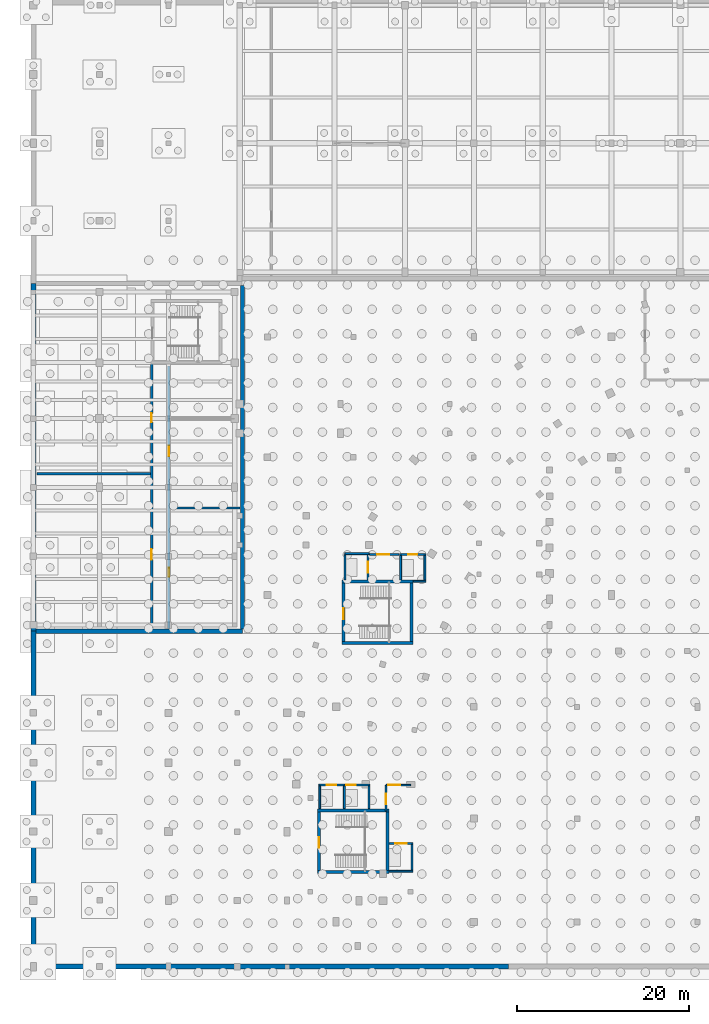
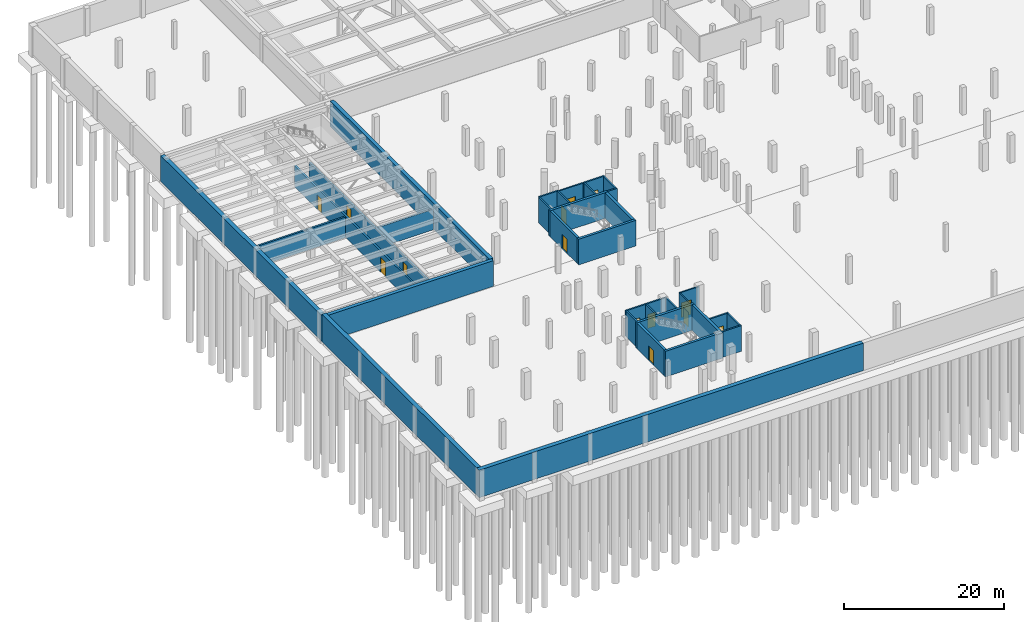
# One storey, part 24 of 36: 35 walls, 14 doors, 14 openings.
"""IFC4 building model written with IfcOpenShell, lengths in metres."""

import ifcopenshell
import ifcopenshell.guid

model = None  # the IFC model being written
_history = None  # IfcOwnerHistory: only IFC2X3 demands one
_inside = {}  # id of a spatial element -> (the spatial element, [elements in it])
_under = {}  # id of a project, library or spatial element -> (it, [spatial elements below it])
_declared = {}  # id of a project -> (the project, [libraries it declares])
_typed = {}  # id of a type object -> (the type object, [elements of that type])
_made_of = {}  # id of a material, layer set ... -> (it, [elements and type objects made of it])


def new_model(schema):
    """Start an empty IFC model of exactly this schema.

    Asked for "IFC4X3", IfcOpenShell would pick the latest addendum, in which some entities
    have other attributes; the version numbers below select the first issue.
    IFC2X3 requires an IfcOwnerHistory on every rooted entity: one is made here for all.
    """
    global model, _history
    if schema == "IFC4X3":
        model = ifcopenshell.file(schema_version=(4, 3, 0, 0))
    else:
        model = ifcopenshell.file(schema=schema)
    _inside.clear()
    _under.clear()
    _declared.clear()
    _typed.clear()
    _made_of.clear()
    _history = None
    if model.schema == "IFC2X3":
        org = make("IfcOrganization", Name="unknown")
        user = make(
            "IfcPersonAndOrganization",
            ThePerson=make("IfcPerson", FamilyName="unknown"),
            TheOrganization=org,
        )
        app = make(
            "IfcApplication",
            ApplicationDeveloper=org,
            Version="unknown",
            ApplicationFullName="unknown",
            ApplicationIdentifier="unknown",
        )
        _history = make(
            "IfcOwnerHistory",
            OwningUser=user,
            OwningApplication=app,
            ChangeAction="ADDED",
            CreationDate=0,
        )
    return model


def make(cls, **values):
    """One entity of the class cls with the attributes given. An attribute that is None is left unset."""
    return model.create_entity(
        cls, **{name: value for name, value in values.items() if value is not None}
    )


def rooted(cls, **values):
    """An entity with a GlobalId (a new one), such as an element, a storey or a relation."""
    return make(cls, GlobalId=ifcopenshell.guid.new(), OwnerHistory=_history, **values)


def si_unit(unit_type, name, prefix=None):
    """IfcSIUnit, for example si_unit("LENGTHUNIT", "METRE", prefix="MILLI")."""
    return make("IfcSIUnit", UnitType=unit_type, Prefix=prefix, Name=name)


def assignment(units):
    """IfcUnitAssignment: the units of a project."""
    return None if units is None else make("IfcUnitAssignment", Units=units)


def point(xyz):
    """IfcCartesianPoint."""
    return None if xyz is None else make("IfcCartesianPoint", Coordinates=xyz)


def direction(xyz):
    """IfcDirection."""
    return None if xyz is None else make("IfcDirection", DirectionRatios=xyz)


def frame(location, z_axis=None, x_axis=None):
    """IfcAxis2Placement3D, a coordinate frame: its origin and axes. An axis left out is left unset."""
    return make(
        "IfcAxis2Placement3D",
        Location=point(location),
        Axis=direction(z_axis),
        RefDirection=direction(x_axis),
    )


def frame_2d(location, x_axis=None):
    """IfcAxis2Placement2D, a coordinate frame in the plane: its origin and x axis."""
    return make(
        "IfcAxis2Placement2D", Location=point(location), RefDirection=direction(x_axis)
    )


def origin():
    """The frame at (0, 0, 0) with its axes left unset."""
    return frame((0.0, 0.0, 0.0))


def place(relative_to, where):
    """IfcLocalPlacement: puts the frame where relative to a parent placement (None: the world)."""
    return make(
        "IfcLocalPlacement", PlacementRelTo=relative_to, RelativePlacement=where
    )


def context(
    kind, dimensions, precision=None, world=None, true_north=None, identifier=None
):
    """IfcGeometricRepresentationContext, for example the 3D "Model" context."""
    return make(
        "IfcGeometricRepresentationContext",
        ContextIdentifier=identifier,
        ContextType=kind,
        CoordinateSpaceDimension=dimensions,
        Precision=precision,
        WorldCoordinateSystem=world,
        TrueNorth=true_north,
    )


def subcontext(parent, identifier, kind, view, scale=None):
    """IfcGeometricRepresentationSubContext, for example "Body" below "Model"."""
    return make(
        "IfcGeometricRepresentationSubContext",
        ContextIdentifier=identifier,
        ContextType=kind,
        ParentContext=parent,
        TargetScale=scale,
        TargetView=view,
    )


def project(units=None, contexts=None):
    """IfcProject with its units and contexts."""
    return rooted(
        "IfcProject",
        Name="project",
        RepresentationContexts=contexts,
        UnitsInContext=assignment(units),
    )


def spatial(cls, under=None, at=None, **own):
    """A site, building, storey or space (cls), placed at a placement, below another one or the project."""
    s = rooted(cls, ObjectPlacement=at, **own)
    if under is not None:
        _under.setdefault(under.id(), (under, []))[1].append(s)
    return s


def profile(cls, at=None, kind="AREA", **sizes):
    """A parametric profile (cls). Its sizes go by their IFC names, for example OverallWidth=200.0."""
    return make(cls, ProfileType=kind, Position=at, **sizes)


def rectangle(**sizes):
    """IfcRectangleProfileDef."""
    return profile("IfcRectangleProfileDef", **sizes)


def extrude(swept, where, along, depth):
    """IfcExtrudedAreaSolid: the profile swept, set in the frame where, extruded along a direction by depth."""
    return make(
        "IfcExtrudedAreaSolid",
        SweptArea=swept,
        Position=where,
        ExtrudedDirection=direction(along),
        Depth=depth,
    )


def shape(context_of_items, identifier, shape_type, items):
    """IfcShapeRepresentation: the items that make up one representation, for example the "Body"."""
    return make(
        "IfcShapeRepresentation",
        ContextOfItems=context_of_items,
        RepresentationIdentifier=identifier,
        RepresentationType=shape_type,
        Items=items,
    )


def material(Name=None, Category=None):
    """IfcMaterial."""
    return make("IfcMaterial", Name=Name, Category=Category)


def layer(
    of_material, thickness, ventilated=None, Name=None, Category=None, Priority=None
):
    """IfcMaterialLayer: one layer of a wall or slab, of a material (None: an air gap)."""
    return make(
        "IfcMaterialLayer",
        Material=of_material,
        LayerThickness=thickness,
        IsVentilated=ventilated,
        Name=Name,
        Category=Category,
        Priority=Priority,
    )


def layer_set(layers, Name=None):
    """IfcMaterialLayerSet."""
    return make("IfcMaterialLayerSet", MaterialLayers=layers, LayerSetName=Name)


def made_of(thing, what):
    """Note that an element or type object is made of a material, layer set ...; save() writes the relation."""
    if what is not None:
        _made_of.setdefault(what.id(), (what, []))[1].append(thing)
    return thing


def type_object(cls, material=None, **own):
    """A type object (cls), such as IfcWallType, which elements share."""
    return made_of(rooted(cls, **own), material)


def element(
    cls,
    number,
    at=None,
    inside=None,
    cuts=None,
    type_object=None,
    material=None,
    context=None,
    identifier="Body",
    shape_type=None,
    held_by="IfcProductDefinitionShape",
    body=None,
    shapes=None,
    **own,
):
    """One element of the class cls, such as IfcWall. Its Tag is "e" and its number.

    at: its placement. inside: the storey or other place that contains it. cuts: it is an
    opening in that element (IfcRelVoidsElement). A single representation is given by context,
    identifier, shape_type and body (its items); several are given by shapes. held_by: the class
    of the entity that holds the representations. save() writes the other relations.
    """
    e = rooted(cls, Tag="e%d" % number, ObjectPlacement=at, **own)
    if body is not None:
        shapes = [shape(context, identifier, shape_type, body)]
    if shapes is not None:
        e.Representation = make(held_by, Representations=shapes)
    if inside is not None:
        _inside.setdefault(inside.id(), (inside, []))[1].append(e)
    if cuts is not None:
        rooted(
            "IfcRelVoidsElement", RelatingBuildingElement=cuts, RelatedOpeningElement=e
        )
    if type_object is not None:
        _typed.setdefault(type_object.id(), (type_object, []))[1].append(e)
    return made_of(e, material)


def fill(opening, filler):
    """IfcRelFillsElement: the door or window that sits in an opening."""
    return rooted(
        "IfcRelFillsElement",
        RelatingOpeningElement=opening,
        RelatedBuildingElement=filler,
    )


def aggregate(whole, parts):
    """IfcRelAggregates: a whole, such as a stair, and the parts it consists of."""
    return rooted("IfcRelAggregates", RelatingObject=whole, RelatedObjects=parts)


def save(model, path):
    """Write the relations noted so far, then the file.

    IfcRelAggregates (storeys below a building ...), IfcRelContainedInSpatialStructure (elements
    in a storey), IfcRelDefinesByType, IfcRelAssociatesMaterial and IfcRelDeclares: one each for
    every whole, place, type object, material and project.
    """
    for whole, parts in _under.values():
        aggregate(whole, parts)
    for where, things in _inside.values():
        rooted(
            "IfcRelContainedInSpatialStructure",
            RelatedElements=things,
            RelatingStructure=where,
        )
    for kind, things in _typed.values():
        rooted("IfcRelDefinesByType", RelatedObjects=things, RelatingType=kind)
    for what, things in _made_of.values():
        rooted("IfcRelAssociatesMaterial", RelatedObjects=things, RelatingMaterial=what)
    for by, libraries in _declared.values():
        rooted("IfcRelDeclares", RelatingContext=by, RelatedDefinitions=libraries)
    model.write(path)


model = new_model("IFC4")

# Units and contexts
model_context = context("Model", 3, precision=1e-05, world=origin(), true_north=direction((0.0, 1.0)))
body_context = subcontext(model_context, "Body", "Model", "MODEL_VIEW")
ifc_project = project(units=[si_unit("LENGTHUNIT", "METRE"), si_unit("AREAUNIT", "SQUARE_METRE"), si_unit("VOLUMEUNIT", "CUBIC_METRE"), si_unit("PLANEANGLEUNIT", "RADIAN"), si_unit("MASSUNIT", "GRAM", prefix="KILO"), si_unit("THERMODYNAMICTEMPERATUREUNIT", "KELVIN"), si_unit("POWERUNIT", "WATT")], contexts=[model_context])

# Site, building, storey
site_placement = place(None, origin())
site = spatial("IfcSite", under=ifc_project, at=site_placement, CompositionType="ELEMENT")
building_placement = place(site_placement, origin())
building = spatial("IfcBuilding", under=site, at=building_placement, Name="Solvatero Civic Police Headquarters", CompositionType="ELEMENT")
storey_placement = place(building_placement, frame((0.0, 0.0, -8.39990234375)))
storey = spatial("IfcBuildingStorey", under=building, at=storey_placement, Name="B02", CompositionType="ELEMENT", Elevation=-8.39990234375)

# Wall, opening, door
ifc_material_1 = material(Name="Concrete Blockwork", Category="masonry")
ifc_layer_1 = layer(ifc_material_1, 0.199951171875)
ifc_layer_set_1 = layer_set([ifc_layer_1], Name="Concrete Blockwork")
wall_type_1 = type_object("IfcWallType", Name="WL-PTN-200", PredefinedType="PARTITIONING", material=ifc_layer_set_1)
wall_1_placement = place(storey_placement, frame((45.800048828125, 22.89990234375, 0.0), z_axis=(0.0, 0.0, 1.0), x_axis=(0.0, 1.0, 0.0)))
wall_1 = element("IfcWall", 1, at=wall_1_placement, inside=storey, type_object=wall_type_1, Name="Interior Partition WLP-FFL-C1-B02-W", PredefinedType="PARTITIONING", context=body_context, shape_type="SweptSolid", body=[
    extrude(rectangle(XDim=3.0, YDim=0.199951171875, at=frame_2d((1.5, 0.0))), origin(), (0.0, 0.0, 1.0), 3.89990234375),
])
opening_1_placement = place(wall_1_placement, frame((0.75, 0.0, 0.0)))
opening_1 = element("IfcOpeningElement", 2, at=opening_1_placement, cuts=wall_1, Name="Opening FD-01", PredefinedType="OPENING", context=body_context, shape_type="SweptSolid", body=[
    extrude(rectangle(XDim=1.25, YDim=2.199951171875, at=frame_2d((0.625, 1.10009765625))), frame((0.0, 0.10986328125, 0.0), z_axis=(0.0, -1.0, 0.0), x_axis=(1.0, 0.0, 0.0)), (0.0, 0.0, 1.0), 0.219970703125),
])
ifc_material_2 = material(Name="Powder-Coated Steel", Category="steel")
door_type_1 = type_object("IfcDoorType", Name="DR-STR-125x220", OperationType="NOTDEFINED", PredefinedType="DOOR", material=ifc_material_2)
door_1_placement = place(opening_1_placement, origin())
door_1 = element("IfcDoor", 3, at=door_1_placement, inside=storey, type_object=door_type_1, Name="Interior Door DR-FFL-C1-B02-W", OperationType="SINGLE_SWING_LEFT", OverallHeight=2.199951171875, OverallWidth=1.25, PredefinedType="DOOR", context=body_context, shape_type="SweptSolid", body=[
    extrude(rectangle(XDim=1.25, YDim=2.199951171875, at=frame_2d((0.625, 1.10009765625))), frame((0.0, 0.02490234375, 0.0), z_axis=(0.0, -1.0, 0.0), x_axis=(1.0, 0.0, 0.0)), (0.0, 0.0, 1.0), 0.050048828125),
])
fill(opening_1, door_1)

wall_2_placement = place(storey_placement, frame((45.800048828125, 25.89990234375, 0.0), z_axis=(0.0, 0.0, 1.0), x_axis=(1.0, 0.0, 0.0)))
wall_2 = element("IfcWall", 4, at=wall_2_placement, inside=storey, type_object=wall_type_1, Name="Interior Partition WLP-FFL-C1-B02-N", PredefinedType="PARTITIONING", context=body_context, shape_type="SweptSolid", body=[
    extrude(rectangle(XDim=2.849853515625, YDim=0.199951171875, at=frame_2d((1.4248046875, 0.0))), origin(), (0.0, 0.0, 1.0), 3.89990234375),
])
opening_2_placement = place(wall_2_placement, frame((0.25, 0.0, 0.0)))
opening_2 = element("IfcOpeningElement", 5, at=opening_2_placement, cuts=wall_2, Name="Opening FD-02", PredefinedType="OPENING", context=body_context, shape_type="SweptSolid", body=[
    extrude(rectangle(XDim=1.39990234375, YDim=2.25, at=frame_2d((0.699951171875, 1.125))), frame((0.0, 0.10986328125, 0.0), z_axis=(0.0, -1.0, 0.0), x_axis=(1.0, 0.0, 0.0)), (0.0, 0.0, 1.0), 0.219970703125),
])
door_type_2 = type_object("IfcDoorType", Name="DR-LOB-140x225", OperationType="NOTDEFINED", PredefinedType="DOOR", material=ifc_material_2)
door_2_placement = place(opening_2_placement, origin())
door_2 = element("IfcDoor", 6, at=door_2_placement, inside=storey, type_object=door_type_2, Name="Interior Door DR-FFL-C1-B02-ACC", OperationType="DOUBLE_DOOR_SINGLE_SWING", OverallHeight=2.25, OverallWidth=1.39990234375, PredefinedType="DOOR", context=body_context, shape_type="SweptSolid", body=[
    extrude(rectangle(XDim=1.39990234375, YDim=2.25, at=frame_2d((0.699951171875, 1.125))), frame((0.0, 0.02490234375, 0.0), z_axis=(0.0, -1.0, 0.0), x_axis=(1.0, 0.0, 0.0)), (0.0, 0.0, 1.0), 0.050048828125),
])
fill(opening_2, door_2)

wall_3_placement = place(storey_placement, frame((43.89990234375, 52.699951171875, 0.0), z_axis=(0.0, 0.0, 1.0), x_axis=(1.0, 0.0, 0.0)))
wall_3 = element("IfcWall", 7, at=wall_3_placement, inside=storey, type_object=wall_type_1, Name="Interior Partition WLP-FFL-C2-B02-N", PredefinedType="PARTITIONING", context=body_context, shape_type="SweptSolid", body=[
    extrude(rectangle(XDim=3.400146484375, YDim=0.199951171875, at=frame_2d((1.7001953125, 0.0))), origin(), (0.0, 0.0, 1.0), 3.89990234375),
])
opening_3_placement = place(wall_3_placement, frame((0.85009765625, 0.0, 0.0)))
opening_3 = element("IfcOpeningElement", 8, at=opening_3_placement, cuts=wall_3, Name="Opening FD-02", PredefinedType="OPENING", context=body_context, shape_type="SweptSolid", body=[
    extrude(rectangle(XDim=1.39990234375, YDim=2.25, at=frame_2d((0.699951171875, 1.125))), frame((0.0, 0.10986328125, 0.0), z_axis=(0.0, -1.0, 0.0), x_axis=(1.0, 0.0, 0.0)), (0.0, 0.0, 1.0), 0.219970703125),
])
door_3_placement = place(opening_3_placement, origin())
door_3 = element("IfcDoor", 9, at=door_3_placement, inside=storey, type_object=door_type_2, Name="Interior Door DR-FFL-C2-B02-ACC", OperationType="DOUBLE_DOOR_SINGLE_SWING", OverallHeight=2.25, OverallWidth=1.39990234375, PredefinedType="DOOR", context=body_context, shape_type="SweptSolid", body=[
    extrude(rectangle(XDim=1.39990234375, YDim=2.25, at=frame_2d((0.699951171875, 1.125))), frame((0.0, 0.02490234375, 0.0), z_axis=(0.0, -1.0, 0.0), x_axis=(1.0, 0.0, 0.0)), (0.0, 0.0, 1.0), 0.050048828125),
])
fill(opening_3, door_3)

# Walls
ifc_material_3 = material(Name="Concrete C35/45", Category="concrete")
ifc_layer_2 = layer(ifc_material_3, 0.5)
ifc_layer_set_2 = layer_set([ifc_layer_2], Name="Concrete C35/45")
wall_type_2 = type_object("IfcWallType", Name="WL-RET-500", PredefinedType="USERDEFINED", material=ifc_layer_set_2)
wall_4_placement = place(storey_placement, frame((5.10009765625, 43.800048828125, 0.0), z_axis=(0.0, 0.0, 1.0), x_axis=(1.0, 0.0, 0.0)))
element("IfcWall", 10, at=wall_4_placement, inside=storey, type_object=wall_type_2, Name="B02 Watertight Tanked Retaining Wall RW-INT-WS", ObjectType="RETAINING WALL", PredefinedType="USERDEFINED", context=body_context, shape_type="SweptSolid", body=[
    extrude(rectangle(XDim=24.0, YDim=0.5, at=frame_2d((12.0, 0.0))), origin(), (0.0, 0.0, 1.0), 3.919921875),
])
wall_5_placement = place(storey_placement, frame((29.10009765625, 44.050048828125, 0.0), z_axis=(0.0, 0.0, 1.0), x_axis=(0.0, 1.0, 0.0)))
element("IfcWall", 11, at=wall_5_placement, inside=storey, type_object=wall_type_2, Name="B02 Watertight Tanked Retaining Wall RW-INT-WE", ObjectType="RETAINING WALL", PredefinedType="USERDEFINED", context=body_context, shape_type="SweptSolid", body=[
    extrude(rectangle(XDim=39.89990234375, YDim=0.5, at=frame_2d((19.949951171875, 0.0))), origin(), (0.0, 0.0, 1.0), 3.919921875),
])
ifc_layer_3 = layer(ifc_material_3, 0.60009765625)
ifc_layer_set_3 = layer_set([ifc_layer_3], Name="Concrete C35/45")
wall_type_3 = type_object("IfcWallType", Name="WL-RET-600", PredefinedType="USERDEFINED", material=ifc_layer_set_3)
wall_6_placement = place(storey_placement, frame((4.5, 4.800048828125, 0.0), z_axis=(0.0, 0.0, 1.0), x_axis=(1.0, 0.0, 0.0)))
element("IfcWall", 12, at=wall_6_placement, inside=storey, type_object=wall_type_3, Name="B02 Watertight Tanked Retaining Wall RW-PERIM-S1", ObjectType="RETAINING WALL", PredefinedType="USERDEFINED", context=body_context, shape_type="SweptSolid", body=[
    extrude(rectangle(XDim=55.5, YDim=0.60009765625, at=frame_2d((27.75, 0.0))), origin(), (0.0, 0.0, 1.0), 4.199951171875),
])
wall_7_placement = place(storey_placement, frame((4.800048828125, 5.10009765625, 0.0), z_axis=(0.0, 0.0, 1.0), x_axis=(0.0, 1.0, 0.0)))
element("IfcWall", 13, at=wall_7_placement, inside=storey, type_object=wall_type_3, Name="B02 Watertight Tanked Retaining Wall RW-PERIM-W1", ObjectType="RETAINING WALL", PredefinedType="USERDEFINED", context=body_context, shape_type="SweptSolid", body=[
    extrude(rectangle(XDim=38.699951171875, YDim=0.60009765625, at=frame_2d((19.35009765625, 0.0))), origin(), (0.0, 0.0, 1.0), 4.199951171875),
])
wall_8_placement = place(storey_placement, frame((4.800048828125, 43.800048828125, 0.0), z_axis=(0.0, 0.0, 1.0), x_axis=(0.0, 1.0, 0.0)))
element("IfcWall", 14, at=wall_8_placement, inside=storey, type_object=wall_type_3, Name="B02 Watertight Tanked Retaining Wall RW-PERIM-WW", ObjectType="RETAINING WALL", PredefinedType="USERDEFINED", context=body_context, shape_type="SweptSolid", body=[
    extrude(rectangle(XDim=40.39990234375, YDim=0.60009765625, at=frame_2d((20.199951171875, 0.0))), origin(), (0.0, 0.0, 1.0), 3.919921875),
])
ifc_layer_4 = layer(ifc_material_3, 0.219970703125)
ifc_layer_set_4 = layer_set([ifc_layer_4], Name="Concrete C35/45")
wall_type_4 = type_object("IfcWallType", Name="WL-SHF-220", PredefinedType="PARTITIONING", material=ifc_layer_set_4)
wall_9_placement = place(storey_placement, frame((46.159912109375, 15.889892578125, 0.0), z_axis=(0.0, 0.0, 1.0), x_axis=(1.0, 0.0, 0.0)))
element("IfcWall", 15, at=wall_9_placement, inside=storey, type_object=wall_type_4, Name="Lift Shaft Wall WLS-FL-01-B02-S", PredefinedType="PARTITIONING", context=body_context, shape_type="SweptSolid", body=[
    extrude(rectangle(XDim=2.760009765625, YDim=0.219970703125, at=frame_2d((1.3798828125, 0.0))), origin(), (0.0, 0.0, 1.0), 3.89990234375),
])

# Wall, opening, door
wall_10_placement = place(storey_placement, frame((46.159912109375, 19.110107421875, 0.0), z_axis=(0.0, 0.0, 1.0), x_axis=(1.0, 0.0, 0.0)))
wall_10 = element("IfcWall", 16, at=wall_10_placement, inside=storey, type_object=wall_type_4, Name="Lift Shaft Wall WLS-FL-01-B02-N", PredefinedType="PARTITIONING", context=body_context, shape_type="SweptSolid", body=[
    extrude(rectangle(XDim=2.760009765625, YDim=0.219970703125, at=frame_2d((1.3798828125, 0.0))), origin(), (0.0, 0.0, 1.0), 3.89990234375),
])
opening_4_placement = place(wall_10_placement, frame((0.72998046875, 0.0, 0.0)))
opening_4 = element("IfcOpeningElement", 17, at=opening_4_placement, cuts=wall_10, Name="Opening LD-02", PredefinedType="OPENING", context=body_context, shape_type="SweptSolid", body=[
    extrude(rectangle(XDim=1.300048828125, YDim=2.199951171875, at=frame_2d((0.64990234375, 1.10009765625))), frame((0.0, 0.119873046875, 0.0), z_axis=(0.0, -1.0, 0.0), x_axis=(1.0, 0.0, 0.0)), (0.0, 0.0, 1.0), 0.239990234375),
])
ifc_material_4 = material(Name="Stainless Steel Grade 316", Category="steel")
door_type_3 = type_object("IfcDoorType", Name="DR-LFT-130x220", OperationType="DOUBLE_DOOR_SLIDING", PredefinedType="DOOR", material=ifc_material_4)
door_4_placement = place(opening_4_placement, origin())
door_4 = element("IfcDoor", 18, at=door_4_placement, inside=storey, type_object=door_type_3, Name="Interior Door DR-LFT-FL-01-B02", OperationType="DOUBLE_DOOR_SLIDING", OverallHeight=2.199951171875, OverallWidth=1.300048828125, PredefinedType="DOOR", context=body_context, shape_type="SweptSolid", body=[
    extrude(rectangle(XDim=1.300048828125, YDim=2.199951171875, at=frame_2d((0.64990234375, 1.10009765625))), frame((0.0, 0.02490234375, 0.0), z_axis=(0.0, -1.0, 0.0), x_axis=(1.0, 0.0, 0.0)), (0.0, 0.0, 1.0), 0.050048828125),
])
fill(opening_4, door_4)

# Wall
wall_11_placement = place(storey_placement, frame((48.81005859375, 16.0, 0.0), z_axis=(0.0, 0.0, 1.0), x_axis=(0.0, 1.0, 0.0)))
element("IfcWall", 19, at=wall_11_placement, inside=storey, type_object=wall_type_4, Name="Lift Shaft Wall WLS-FL-01-B02-E", PredefinedType="PARTITIONING", context=body_context, shape_type="SweptSolid", body=[
    extrude(rectangle(XDim=3.0, YDim=0.219970703125, at=frame_2d((1.5, 0.0))), origin(), (0.0, 0.0, 1.0), 3.89990234375),
])

# Wall, opening, door
wall_12_placement = place(storey_placement, frame((37.97998046875, 25.909912109375, 0.0), z_axis=(0.0, 0.0, 1.0), x_axis=(1.0, 0.0, 0.0)))
wall_12 = element("IfcWall", 20, at=wall_12_placement, inside=storey, type_object=wall_type_4, Name="Lift Shaft Wall WLS-LP-01-B02-N", PredefinedType="PARTITIONING", context=body_context, shape_type="SweptSolid", body=[
    extrude(rectangle(XDim=2.969970703125, YDim=0.219970703125, at=frame_2d((1.48486328125, 0.0))), origin(), (0.0, 0.0, 1.0), 3.89990234375),
])
opening_5_placement = place(wall_12_placement, frame((0.93505859375, 0.0, 0.0)))
opening_5 = element("IfcOpeningElement", 21, at=opening_5_placement, cuts=wall_12, Name="Opening LD-01", PredefinedType="OPENING", context=body_context, shape_type="SweptSolid", body=[
    extrude(rectangle(XDim=1.10009765625, YDim=2.14990234375, at=frame_2d((0.550048828125, 1.074951171875))), frame((0.0, 0.119873046875, 0.0), z_axis=(0.0, -1.0, 0.0), x_axis=(1.0, 0.0, 0.0)), (0.0, 0.0, 1.0), 0.239990234375),
])
door_type_4 = type_object("IfcDoorType", Name="DR-LFT-110x215", OperationType="DOUBLE_DOOR_SLIDING", PredefinedType="DOOR", material=ifc_material_4)
door_5_placement = place(opening_5_placement, origin())
door_5 = element("IfcDoor", 22, at=door_5_placement, inside=storey, type_object=door_type_4, Name="Interior Door DR-LFT-LP-01-B02", OperationType="DOUBLE_DOOR_SLIDING", OverallHeight=2.14990234375, OverallWidth=1.10009765625, PredefinedType="DOOR", context=body_context, shape_type="SweptSolid", body=[
    extrude(rectangle(XDim=1.10009765625, YDim=2.14990234375, at=frame_2d((0.550048828125, 1.074951171875))), frame((0.0, 0.02490234375, 0.0), z_axis=(0.0, -1.0, 0.0), x_axis=(1.0, 0.0, 0.0)), (0.0, 0.0, 1.0), 0.050048828125),
])
fill(opening_5, door_5)

# Walls
for number, where, z_axis, x_axis, name in (
    (23, (38.090087890625, 23.159912109375, 0.0), (0.0, 0.0, 1.0), (0.0, 1.0, 0.0), "Lift Shaft Wall WLS-LP-01-B02-W"),
    (24, (40.949951171875, 23.159912109375, 0.0), (0.0, 0.0, 1.0), (0.0, 1.0, 0.0), "Lift Shaft Wall WLS-LP-01-B02-E"),
):
    element("IfcWall", number, at=place(storey_placement, frame(where, z_axis=z_axis, x_axis=x_axis)), inside=storey, type_object=wall_type_4, Name=name, PredefinedType="PARTITIONING", context=body_context, shape_type="SweptSolid", body=[
        extrude(rectangle(XDim=2.64013671875, YDim=0.219970703125, at=frame_2d((1.320068359375, 0.0))), origin(), (0.0, 0.0, 1.0), 3.89990234375),
    ])

# Wall, opening, door
wall_13_placement = place(storey_placement, frame((40.949951171875, 25.909912109375, 0.0), z_axis=(0.0, 0.0, 1.0), x_axis=(1.0, 0.0, 0.0)))
wall_13 = element("IfcWall", 25, at=wall_13_placement, inside=storey, type_object=wall_type_4, Name="Lift Shaft Wall WLS-LP-02-B02-N", PredefinedType="PARTITIONING", context=body_context, shape_type="SweptSolid", body=[
    extrude(rectangle(XDim=2.969970703125, YDim=0.219970703125, at=frame_2d((1.48486328125, 0.0))), origin(), (0.0, 0.0, 1.0), 3.89990234375),
])
opening_6_placement = place(wall_13_placement, frame((0.239990234375, 0.0, 0.0)))
opening_6 = element("IfcOpeningElement", 26, at=opening_6_placement, cuts=wall_13, Name="Opening LD-01", PredefinedType="OPENING", context=body_context, shape_type="SweptSolid", body=[
    extrude(rectangle(XDim=1.10009765625, YDim=2.14990234375, at=frame_2d((0.550048828125, 1.074951171875))), frame((0.0, 0.119873046875, 0.0), z_axis=(0.0, -1.0, 0.0), x_axis=(1.0, 0.0, 0.0)), (0.0, 0.0, 1.0), 0.239990234375),
])
door_6_placement = place(opening_6_placement, origin())
door_6 = element("IfcDoor", 27, at=door_6_placement, inside=storey, type_object=door_type_4, Name="Interior Door DR-LFT-LP-02-B02", OperationType="DOUBLE_DOOR_SLIDING", OverallHeight=2.14990234375, OverallWidth=1.10009765625, PredefinedType="DOOR", context=body_context, shape_type="SweptSolid", body=[
    extrude(rectangle(XDim=1.10009765625, YDim=2.14990234375, at=frame_2d((0.550048828125, 1.074951171875))), frame((0.0, 0.02490234375, 0.0), z_axis=(0.0, -1.0, 0.0), x_axis=(1.0, 0.0, 0.0)), (0.0, 0.0, 1.0), 0.050048828125),
])
fill(opening_6, door_6)

# Walls
wall_14_placement = place(storey_placement, frame((43.81005859375, 23.159912109375, 0.0), z_axis=(0.0, 0.0, 1.0), x_axis=(0.0, 1.0, 0.0)))
element("IfcWall", 28, at=wall_14_placement, inside=storey, type_object=wall_type_4, Name="Lift Shaft Wall WLS-LP-02-B02-E", PredefinedType="PARTITIONING", context=body_context, shape_type="SweptSolid", body=[
    extrude(rectangle(XDim=2.64013671875, YDim=0.219970703125, at=frame_2d((1.320068359375, 0.0))), origin(), (0.0, 0.0, 1.0), 3.89990234375),
])
wall_15_placement = place(storey_placement, frame((41.02001953125, 52.81005859375, 0.0), z_axis=(0.0, 0.0, 1.0), x_axis=(1.0, 0.0, 0.0)))
element("IfcWall", 29, at=wall_15_placement, inside=storey, type_object=wall_type_4, Name="Lift Shaft Wall WLS-FL-02-B02-N", PredefinedType="PARTITIONING", context=body_context, shape_type="SweptSolid", body=[
    extrude(rectangle(XDim=2.800048828125, YDim=0.219970703125, at=frame_2d((1.39990234375, 0.0))), origin(), (0.0, 0.0, 1.0), 3.89990234375),
])
wall_16_placement = place(storey_placement, frame((41.02001953125, 49.760009765625, 0.0), z_axis=(0.0, 0.0, 1.0), x_axis=(0.0, 1.0, 0.0)))
element("IfcWall", 30, at=wall_16_placement, inside=storey, type_object=wall_type_4, Name="Lift Shaft Wall WLS-FL-02-B02-W", PredefinedType="PARTITIONING", context=body_context, shape_type="SweptSolid", body=[
    extrude(rectangle(XDim=2.93994140625, YDim=0.219970703125, at=frame_2d((1.469970703125, 0.0))), origin(), (0.0, 0.0, 1.0), 3.89990234375),
])

# Wall, opening, door
wall_17_placement = place(storey_placement, frame((43.7099609375, 49.760009765625, 0.0), z_axis=(0.0, 0.0, 1.0), x_axis=(0.0, 1.0, 0.0)))
wall_17 = element("IfcWall", 31, at=wall_17_placement, inside=storey, type_object=wall_type_4, Name="Lift Shaft Wall WLS-FL-02-B02-E", PredefinedType="PARTITIONING", context=body_context, shape_type="SweptSolid", body=[
    extrude(rectangle(XDim=2.93994140625, YDim=0.219970703125, at=frame_2d((1.469970703125, 0.0))), origin(), (0.0, 0.0, 1.0), 3.89990234375),
])
opening_7_placement = place(wall_17_placement, frame((0.820068359375, 0.0, 0.0)))
opening_7 = element("IfcOpeningElement", 32, at=opening_7_placement, cuts=wall_17, Name="Opening LD-02", PredefinedType="OPENING", context=body_context, shape_type="SweptSolid", body=[
    extrude(rectangle(XDim=1.300048828125, YDim=2.199951171875, at=frame_2d((0.64990234375, 1.10009765625))), frame((0.0, 0.119873046875, 0.0), z_axis=(0.0, -1.0, 0.0), x_axis=(1.0, 0.0, 0.0)), (0.0, 0.0, 1.0), 0.239990234375),
])
door_7_placement = place(opening_7_placement, origin())
door_7 = element("IfcDoor", 33, at=door_7_placement, inside=storey, type_object=door_type_3, Name="Interior Door DR-LFT-FL-02-B02", OperationType="DOUBLE_DOOR_SLIDING", OverallHeight=2.199951171875, OverallWidth=1.300048828125, PredefinedType="DOOR", context=body_context, shape_type="SweptSolid", body=[
    extrude(rectangle(XDim=1.300048828125, YDim=2.199951171875, at=frame_2d((0.64990234375, 1.10009765625))), frame((0.0, 0.02490234375, 0.0), z_axis=(0.0, -1.0, 0.0), x_axis=(1.0, 0.0, 0.0)), (0.0, 0.0, 1.0), 0.050048828125),
])
fill(opening_7, door_7)

# Wall
wall_18_placement = place(storey_placement, frame((48.9599609375, 49.590087890625, 0.0), z_axis=(0.0, 0.0, 1.0), x_axis=(1.0, 0.0, 0.0)))
element("IfcWall", 34, at=wall_18_placement, inside=storey, type_object=wall_type_4, Name="Lift Shaft Wall WLS-LP-03-B02-S", PredefinedType="PARTITIONING", context=body_context, shape_type="SweptSolid", body=[
    extrude(rectangle(XDim=1.4599609375, YDim=0.219970703125, at=frame_2d((0.72998046875, 0.0))), origin(), (0.0, 0.0, 1.0), 3.89990234375),
])

# Wall, opening, door
wall_19_placement = place(storey_placement, frame((47.3798828125, 52.7099609375, 0.0), z_axis=(0.0, 0.0, 1.0), x_axis=(1.0, 0.0, 0.0)))
wall_19 = element("IfcWall", 35, at=wall_19_placement, inside=storey, type_object=wall_type_4, Name="Lift Shaft Wall WLS-LP-03-B02-N", PredefinedType="PARTITIONING", context=body_context, shape_type="SweptSolid", body=[
    extrude(rectangle(XDim=3.0400390625, YDim=0.219970703125, at=frame_2d((1.52001953125, 0.0))), origin(), (0.0, 0.0, 1.0), 3.89990234375),
])
opening_8_placement = place(wall_19_placement, frame((0.969970703125, 0.0, 0.0)))
opening_8 = element("IfcOpeningElement", 36, at=opening_8_placement, cuts=wall_19, Name="Opening LD-01", PredefinedType="OPENING", context=body_context, shape_type="SweptSolid", body=[
    extrude(rectangle(XDim=1.10009765625, YDim=2.14990234375, at=frame_2d((0.550048828125, 1.074951171875))), frame((0.0, 0.119873046875, 0.0), z_axis=(0.0, -1.0, 0.0), x_axis=(1.0, 0.0, 0.0)), (0.0, 0.0, 1.0), 0.239990234375),
])
door_8_placement = place(opening_8_placement, origin())
door_8 = element("IfcDoor", 37, at=door_8_placement, inside=storey, type_object=door_type_4, Name="Interior Door DR-LFT-LP-03-B02", OperationType="DOUBLE_DOOR_SLIDING", OverallHeight=2.14990234375, OverallWidth=1.10009765625, PredefinedType="DOOR", context=body_context, shape_type="SweptSolid", body=[
    extrude(rectangle(XDim=1.10009765625, YDim=2.14990234375, at=frame_2d((0.550048828125, 1.074951171875))), frame((0.0, 0.02490234375, 0.0), z_axis=(0.0, -1.0, 0.0), x_axis=(1.0, 0.0, 0.0)), (0.0, 0.0, 1.0), 0.050048828125),
])
fill(opening_8, door_8)

# Walls
wall_20_placement = place(storey_placement, frame((47.489990234375, 49.760009765625, 0.0), z_axis=(0.0, 0.0, 1.0), x_axis=(0.0, 1.0, 0.0)))
element("IfcWall", 38, at=wall_20_placement, inside=storey, type_object=wall_type_4, Name="Lift Shaft Wall WLS-LP-03-B02-W", PredefinedType="PARTITIONING", context=body_context, shape_type="SweptSolid", body=[
    extrude(rectangle(XDim=2.840087890625, YDim=0.219970703125, at=frame_2d((1.419921875, 0.0))), origin(), (0.0, 0.0, 1.0), 3.89990234375),
])
wall_21_placement = place(storey_placement, frame((50.31005859375, 49.699951171875, 0.0), z_axis=(0.0, 0.0, 1.0), x_axis=(0.0, 1.0, 0.0)))
element("IfcWall", 39, at=wall_21_placement, inside=storey, type_object=wall_type_4, Name="Lift Shaft Wall WLS-LP-03-B02-E", PredefinedType="PARTITIONING", context=body_context, shape_type="SweptSolid", body=[
    extrude(rectangle(XDim=2.900146484375, YDim=0.219970703125, at=frame_2d((1.4501953125, 0.0))), origin(), (0.0, 0.0, 1.0), 3.89990234375),
])
ifc_material_5 = material(Name="Concrete C40/50", Category="concrete")
ifc_layer_5 = layer(ifc_material_5, 0.35009765625)
ifc_layer_set_5 = layer_set([ifc_layer_5], Name="Concrete C40/50")
wall_type_5 = type_object("IfcWallType", Name="WL-SHR-350", PredefinedType="SHEAR", material=ifc_layer_set_5)
for number, where, z_axis, x_axis, name in (
    (40, (37.85009765625, 15.824951171875, 0.0), (0.0, 0.0, 1.0), (1.0, 0.0, 0.0), "Core C1 Shear Wall S B02"),
    (41, (37.85009765625, 22.97509765625, 0.0), (0.0, 0.0, 1.0), (1.0, 0.0, 0.0), "Core C1 Shear Wall N B02"),
):
    element("IfcWall", number, at=place(storey_placement, frame(where, z_axis=z_axis, x_axis=x_axis)), inside=storey, type_object=wall_type_5, Name=name, PredefinedType="SHEAR", context=body_context, shape_type="SweptSolid", body=[
        extrude(rectangle(XDim=8.2998046875, YDim=0.35009765625, at=frame_2d((4.14990234375, 0.0))), origin(), (0.0, 0.0, 1.0), 3.919921875),
    ])

# Wall, opening, door
wall_22_placement = place(storey_placement, frame((38.02490234375, 16.0, 0.0), z_axis=(0.0, 0.0, 1.0), x_axis=(0.0, 1.0, 0.0)))
wall_22 = element("IfcWall", 42, at=wall_22_placement, inside=storey, type_object=wall_type_5, Name="Core C1 Shear Wall W B02", PredefinedType="SHEAR", context=body_context, shape_type="SweptSolid", body=[
    extrude(rectangle(XDim=6.800048828125, YDim=0.35009765625, at=frame_2d((3.39990234375, 0.0))), origin(), (0.0, 0.0, 1.0), 3.919921875),
])
opening_9_placement = place(wall_22_placement, frame((2.60009765625, 0.0, 0.0)))
opening_9 = element("IfcOpeningElement", 43, at=opening_9_placement, cuts=wall_22, Name="Opening FD-01", PredefinedType="OPENING", context=body_context, shape_type="SweptSolid", body=[
    extrude(rectangle(XDim=1.25, YDim=2.199951171875, at=frame_2d((0.625, 1.10009765625))), frame((0.0, 0.18505859375, 0.0), z_axis=(0.0, -1.0, 0.0), x_axis=(1.0, 0.0, 0.0)), (0.0, 0.0, 1.0), 0.3701171875),
])
door_9_placement = place(opening_9_placement, origin())
door_9 = element("IfcDoor", 44, at=door_9_placement, inside=storey, type_object=door_type_1, Name="Interior Door DR-STR-C1-B02", OperationType="SINGLE_SWING_LEFT", OverallHeight=2.199951171875, OverallWidth=1.25, PredefinedType="DOOR", context=body_context, shape_type="SweptSolid", body=[
    extrude(rectangle(XDim=1.25, YDim=2.199951171875, at=frame_2d((0.625, 1.10009765625))), frame((0.0, 0.02490234375, 0.0), z_axis=(0.0, -1.0, 0.0), x_axis=(1.0, 0.0, 0.0)), (0.0, 0.0, 1.0), 0.050048828125),
])
fill(opening_9, door_9)

# Walls
wall_23_placement = place(storey_placement, frame((45.97509765625, 16.0, 0.0), z_axis=(0.0, 0.0, 1.0), x_axis=(0.0, 1.0, 0.0)))
element("IfcWall", 45, at=wall_23_placement, inside=storey, type_object=wall_type_5, Name="Core C1 Shear Wall E B02", PredefinedType="SHEAR", context=body_context, shape_type="SweptSolid", body=[
    extrude(rectangle(XDim=6.800048828125, YDim=0.35009765625, at=frame_2d((3.39990234375, 0.0))), origin(), (0.0, 0.0, 1.0), 3.919921875),
])
for number, where, z_axis, x_axis, name in (
    (46, (40.64990234375, 42.425048828125, 0.0), (0.0, 0.0, 1.0), (1.0, 0.0, 0.0), "Core C2 Shear Wall S B02"),
    (47, (40.64990234375, 49.574951171875, 0.0), (0.0, 0.0, 1.0), (1.0, 0.0, 0.0), "Core C2 Shear Wall N B02"),
):
    element("IfcWall", number, at=place(storey_placement, frame(where, z_axis=z_axis, x_axis=x_axis)), inside=storey, type_object=wall_type_5, Name=name, PredefinedType="SHEAR", context=body_context, shape_type="SweptSolid", body=[
        extrude(rectangle(XDim=8.300048828125, YDim=0.35009765625, at=frame_2d((4.14990234375, 0.0))), origin(), (0.0, 0.0, 1.0), 3.919921875),
    ])

# Wall, opening, door
wall_24_placement = place(storey_placement, frame((40.824951171875, 42.60009765625, 0.0), z_axis=(0.0, 0.0, 1.0), x_axis=(0.0, 1.0, 0.0)))
wall_24 = element("IfcWall", 48, at=wall_24_placement, inside=storey, type_object=wall_type_5, Name="Core C2 Shear Wall W B02", PredefinedType="SHEAR", context=body_context, shape_type="SweptSolid", body=[
    extrude(rectangle(XDim=6.7998046875, YDim=0.35009765625, at=frame_2d((3.39990234375, 0.0))), origin(), (0.0, 0.0, 1.0), 3.919921875),
])
opening_10_placement = place(wall_24_placement, frame((2.60009765625, 0.0, 0.0)))
opening_10 = element("IfcOpeningElement", 49, at=opening_10_placement, cuts=wall_24, Name="Opening FD-01", PredefinedType="OPENING", context=body_context, shape_type="SweptSolid", body=[
    extrude(rectangle(XDim=1.25, YDim=2.199951171875, at=frame_2d((0.625, 1.10009765625))), frame((0.0, 0.18505859375, 0.0), z_axis=(0.0, -1.0, 0.0), x_axis=(1.0, 0.0, 0.0)), (0.0, 0.0, 1.0), 0.3701171875),
])
door_10_placement = place(opening_10_placement, origin())
door_10 = element("IfcDoor", 50, at=door_10_placement, inside=storey, type_object=door_type_1, Name="Interior Door DR-STR-C2-B02", OperationType="SINGLE_SWING_LEFT", OverallHeight=2.199951171875, OverallWidth=1.25, PredefinedType="DOOR", context=body_context, shape_type="SweptSolid", body=[
    extrude(rectangle(XDim=1.25, YDim=2.199951171875, at=frame_2d((0.625, 1.10009765625))), frame((0.0, 0.02490234375, 0.0), z_axis=(0.0, -1.0, 0.0), x_axis=(1.0, 0.0, 0.0)), (0.0, 0.0, 1.0), 0.050048828125),
])
fill(opening_10, door_10)

# Wall
wall_25_placement = place(storey_placement, frame((48.77490234375, 42.60009765625, 0.0), z_axis=(0.0, 0.0, 1.0), x_axis=(0.0, 1.0, 0.0)))
element("IfcWall", 51, at=wall_25_placement, inside=storey, type_object=wall_type_5, Name="Core C2 Shear Wall E B02", PredefinedType="SHEAR", context=body_context, shape_type="SweptSolid", body=[
    extrude(rectangle(XDim=6.7998046875, YDim=0.35009765625, at=frame_2d((3.39990234375, 0.0))), origin(), (0.0, 0.0, 1.0), 3.919921875),
])

# Wall, openings, doors
ifc_layer_6 = layer(ifc_material_3, 0.260009765625)
ifc_layer_set_6 = layer_set([ifc_layer_6], Name="Concrete C35/45")
wall_type_6 = type_object("IfcWallType", Name="WL-VAULT-260", PredefinedType="PARTITIONING", material=ifc_layer_set_6)
wall_26_placement = place(storey_placement, frame((18.550048828125, 44.10009765625, 0.0), z_axis=(0.0, 0.0, 1.0), x_axis=(0.0, 1.0, 0.0)))
wall_26 = element("IfcWall", 52, at=wall_26_placement, inside=storey, type_object=wall_type_6, Name="Interior Partition WLP-B02-EV-W", PredefinedType="PARTITIONING", context=body_context, shape_type="SweptSolid", body=[
    extrude(rectangle(XDim=30.75, YDim=0.260009765625, at=frame_2d((15.375, 0.0))), origin(), (0.0, 0.0, 1.0), 3.2080078125),
])
opening_11_placement = place(wall_26_placement, frame((8.0, 0.0, 0.0)))
opening_11 = element("IfcOpeningElement", 53, at=opening_11_placement, cuts=wall_26, Name="Opening ID-12", PredefinedType="OPENING", context=body_context, shape_type="SweptSolid", body=[
    extrude(rectangle(XDim=1.219970703125, YDim=2.25, at=frame_2d((0.60986328125, 1.125))), frame((0.0, 0.139892578125, 0.0), z_axis=(0.0, -1.0, 0.0), x_axis=(1.0, 0.0, 0.0)), (0.0, 0.0, 1.0), 0.280029296875),
])
opening_12_placement = place(wall_26_placement, frame((24.0, 0.0, 0.0)))
opening_12 = element("IfcOpeningElement", 54, at=opening_12_placement, cuts=wall_26, Name="Opening ID-06", PredefinedType="OPENING", context=body_context, shape_type="SweptSolid", body=[
    extrude(rectangle(XDim=1.02001953125, YDim=2.179931640625, at=frame_2d((0.510009765625, 1.08984375))), frame((0.0, 0.139892578125, 0.0), z_axis=(0.0, -1.0, 0.0), x_axis=(1.0, 0.0, 0.0)), (0.0, 0.0, 1.0), 0.280029296875),
])
door_type_5 = type_object("IfcDoorType", Name="DR-LAB-102x218", OperationType="NOTDEFINED", PredefinedType="DOOR", material=ifc_material_2)
door_11_placement = place(opening_12_placement, origin())
door_11 = element("IfcDoor", 55, at=door_11_placement, inside=storey, type_object=door_type_5, Name="Interior Door DR-B02-ECOLD", OperationType="SINGLE_SWING_LEFT", OverallHeight=2.179931640625, OverallWidth=1.02001953125, PredefinedType="DOOR", context=body_context, shape_type="SweptSolid", body=[
    extrude(rectangle(XDim=1.02001953125, YDim=2.179931640625, at=frame_2d((0.510009765625, 1.08984375))), frame((0.0, 0.02490234375, 0.0), z_axis=(0.0, -1.0, 0.0), x_axis=(1.0, 0.0, 0.0)), (0.0, 0.0, 1.0), 0.050048828125),
])
fill(opening_12, door_11)
door_type_6 = type_object("IfcDoorType", Name="DR-VLT-122x225", OperationType="NOTDEFINED", PredefinedType="DOOR", material=ifc_material_2)
door_12_placement = place(opening_11_placement, origin())
door_12 = element("IfcDoor", 56, at=door_12_placement, inside=storey, type_object=door_type_6, Name="Interior Door DR-B02-PV1", OperationType="SINGLE_SWING_RIGHT", OverallHeight=2.25, OverallWidth=1.219970703125, PredefinedType="DOOR", context=body_context, shape_type="SweptSolid", body=[
    extrude(rectangle(XDim=1.219970703125, YDim=2.25, at=frame_2d((0.60986328125, 1.125))), frame((0.0, 0.02490234375, 0.0), z_axis=(0.0, -1.0, 0.0), x_axis=(1.0, 0.0, 0.0)), (0.0, 0.0, 1.0), 0.050048828125),
])
fill(opening_11, door_12)

wall_27_placement = place(storey_placement, frame((20.550048828125, 44.10009765625, 0.0), z_axis=(0.0, 0.0, 1.0), x_axis=(0.0, 1.0, 0.0)))
wall_27 = element("IfcWall", 57, at=wall_27_placement, inside=storey, type_object=wall_type_6, Name="Interior Partition WLP-B02-EV-E", PredefinedType="PARTITIONING", context=body_context, shape_type="SweptSolid", body=[
    extrude(rectangle(XDim=30.5, YDim=0.260009765625, at=frame_2d((15.25, 0.0))), origin(), (0.0, 0.0, 1.0), 3.159912109375),
])
opening_13_placement = place(wall_27_placement, frame((6.0, 0.0, 0.0)))
opening_13 = element("IfcOpeningElement", 58, at=opening_13_placement, cuts=wall_27, Name="Opening ID-07", PredefinedType="OPENING", context=body_context, shape_type="SweptSolid", body=[
    extrude(rectangle(XDim=1.050048828125, YDim=2.199951171875, at=frame_2d((0.52490234375, 1.10009765625))), frame((0.0, 0.139892578125, 0.0), z_axis=(0.0, -1.0, 0.0), x_axis=(1.0, 0.0, 0.0)), (0.0, 0.0, 1.0), 0.280029296875),
])
opening_14_placement = place(wall_27_placement, frame((20.0, 0.0, 0.0)))
opening_14 = element("IfcOpeningElement", 59, at=opening_14_placement, cuts=wall_27, Name="Opening ID-12", PredefinedType="OPENING", context=body_context, shape_type="SweptSolid", body=[
    extrude(rectangle(XDim=1.219970703125, YDim=2.25, at=frame_2d((0.60986328125, 1.125))), frame((0.0, 0.139892578125, 0.0), z_axis=(0.0, -1.0, 0.0), x_axis=(1.0, 0.0, 0.0)), (0.0, 0.0, 1.0), 0.280029296875),
])
door_type_7 = type_object("IfcDoorType", Name="DR-LAB-105x220", OperationType="NOTDEFINED", PredefinedType="DOOR", material=ifc_material_2)
door_13_placement = place(opening_13_placement, origin())
door_13 = element("IfcDoor", 60, at=door_13_placement, inside=storey, type_object=door_type_7, Name="Interior Door DR-B02-PV2", OperationType="SINGLE_SWING_RIGHT", OverallHeight=2.199951171875, OverallWidth=1.050048828125, PredefinedType="DOOR", context=body_context, shape_type="SweptSolid", body=[
    extrude(rectangle(XDim=1.050048828125, YDim=2.199951171875, at=frame_2d((0.52490234375, 1.10009765625))), frame((0.0, 0.02490234375, 0.0), z_axis=(0.0, -1.0, 0.0), x_axis=(1.0, 0.0, 0.0)), (0.0, 0.0, 1.0), 0.050048828125),
])
fill(opening_13, door_13)
door_14_placement = place(opening_14_placement, origin())
door_14 = element("IfcDoor", 61, at=door_14_placement, inside=storey, type_object=door_type_6, Name="Interior Door DR-B02-VALU", OperationType="SINGLE_SWING_LEFT", OverallHeight=2.25, OverallWidth=1.219970703125, PredefinedType="DOOR", context=body_context, shape_type="SweptSolid", body=[
    extrude(rectangle(XDim=1.219970703125, YDim=2.25, at=frame_2d((0.60986328125, 1.125))), frame((0.0, 0.02490234375, 0.0), z_axis=(0.0, -1.0, 0.0), x_axis=(1.0, 0.0, 0.0)), (0.0, 0.0, 1.0), 0.050048828125),
])
fill(opening_14, door_14)

# Walls
wall_28_placement = place(storey_placement, frame((5.199951171875, 62.10009765625, 0.0), z_axis=(0.0, 0.0, 1.0), x_axis=(1.0, 0.0, 0.0)))
element("IfcWall", 62, at=wall_28_placement, inside=storey, type_object=wall_type_6, Name="Interior Partition WLP-B02-EV-H1", PredefinedType="PARTITIONING", context=body_context, shape_type="SweptSolid", body=[
    extrude(rectangle(XDim=13.199951171875, YDim=0.260009765625, at=frame_2d((6.60009765625, 0.0))), origin(), (0.0, 0.0, 1.0), 3.157958984375),
])
wall_29_placement = place(storey_placement, frame((20.699951171875, 58.10009765625, 0.0), z_axis=(0.0, 0.0, 1.0), x_axis=(1.0, 0.0, 0.0)))
element("IfcWall", 63, at=wall_29_placement, inside=storey, type_object=wall_type_6, Name="Interior Partition WLP-B02-EV-H2", PredefinedType="PARTITIONING", context=body_context, shape_type="SweptSolid", body=[
    extrude(rectangle(XDim=8.10009765625, YDim=0.260009765625, at=frame_2d((4.050048828125, 0.0))), origin(), (0.0, 0.0, 1.0), 3.157958984375),
])

save(model, "model.ifc")
